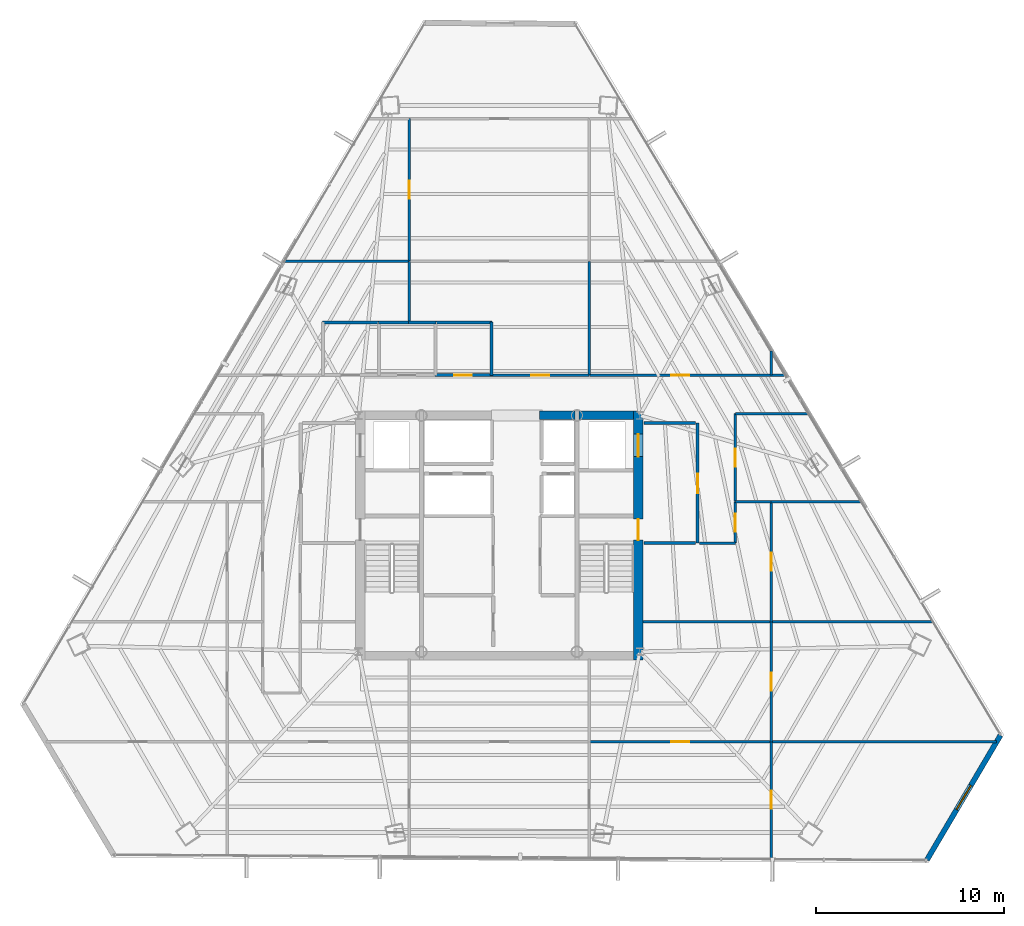
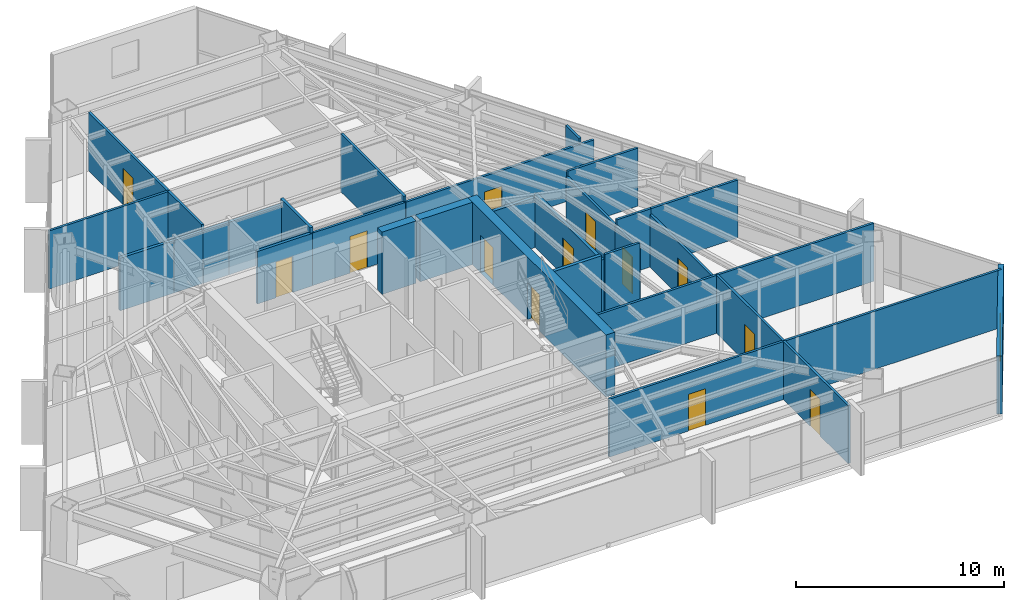
# One storey, part 37 of 41: 33 walls, 13 doors, 1 window, 14 openings.
"""IFC4 building model written with IfcOpenShell, lengths in metres."""

from ifc_helpers import new_model, si_unit, direction, frame, frame_2d, origin, place, context, subcontext, project, spatial, rectangle, extrude, material, layer, layer_set, type_object, element, fill, save


model = new_model("IFC4")

# Units and contexts
model_context = context("Model", 3, precision=1e-05, world=origin(), true_north=direction((0.0, 1.0)))
body_context = subcontext(model_context, "Body", "Model", "MODEL_VIEW")
ifc_project = project(units=[si_unit("LENGTHUNIT", "METRE"), si_unit("AREAUNIT", "SQUARE_METRE"), si_unit("VOLUMEUNIT", "CUBIC_METRE"), si_unit("PLANEANGLEUNIT", "RADIAN"), si_unit("MASSUNIT", "GRAM", prefix="KILO")], contexts=[model_context])

# Site, building, storey
site_placement = place(None, origin())
site = spatial("IfcSite", under=ifc_project, at=site_placement, CompositionType="ELEMENT")
building_placement = place(site_placement, origin())
building = spatial("IfcBuilding", under=site, at=building_placement, Name="Caelisora Broadcast Tower", CompositionType="ELEMENT")
storey_placement = place(building_placement, frame((0.0, 0.0, 173.10009765625)))
storey = spatial("IfcBuildingStorey", under=building, at=storey_placement, Name="L45", CompositionType="ELEMENT", Elevation=173.10009765625)

# Wall, openings, doors
ifc_material_1 = material(Name="Concrete 50 MPa (AS 3600 S50)", Category="concrete")
ifc_layer_1 = layer(ifc_material_1, 0.5, Name="Concrete 50 MPa (AS 3600 S50)")
ifc_layer_set_1 = layer_set([ifc_layer_1], Name="Concrete 50 MPa (AS 3600 S50)")
wall_type_1 = type_object("IfcWallType", Name="CW2", PredefinedType="SHEAR", material=ifc_layer_set_1)
wall_1_placement = place(storey_placement, frame((45.409912109375, 16.949951171875, 0.0), z_axis=(0.0, 0.0, 1.0), x_axis=(0.0, 1.0, 0.0)))
wall_1 = element("IfcWall", 1, at=wall_1_placement, inside=storey, type_object=wall_type_1, Name="L45 core shear wall CW2", PredefinedType="SHEAR", context=body_context, shape_type="SweptSolid", body=[
    extrude(rectangle(XDim=13.275146484375, YDim=0.5, at=frame_2d((6.6376953125, 0.0))), origin(), (0.0, 0.0, 1.0), 3.64990234375),
])
opening_1_placement = place(wall_1_placement, frame((6.39990234375, 0.0, 0.0)))
opening_1 = element("IfcOpeningElement", 2, at=opening_1_placement, cuts=wall_1, Name="Opening FD04", PredefinedType="OPENING", context=body_context, shape_type="SweptSolid", body=[
    extrude(rectangle(XDim=1.1201171875, YDim=2.14990234375, at=frame_2d((0.56005859375, 1.074951171875))), frame((0.0, 0.261962890625, 0.0), z_axis=(0.0, -1.0, 0.0), x_axis=(1.0, 0.0, 0.0)), (0.0, 0.0, 1.0), 0.52392578125),
])
opening_2_placement = place(wall_1_placement, frame((10.85009765625, 0.0, 0.0)))
opening_2 = element("IfcOpeningElement", 3, at=opening_2_placement, cuts=wall_1, Name="Opening LD04", PredefinedType="OPENING", context=body_context, shape_type="SweptSolid", body=[
    extrude(rectangle(XDim=1.199951171875, YDim=2.199951171875, at=frame_2d((0.60009765625, 1.10009765625))), frame((0.0, 0.261962890625, 0.0), z_axis=(0.0, -1.0, 0.0), x_axis=(1.0, 0.0, 0.0)), (0.0, 0.0, 1.0), 0.52392578125),
])
ifc_material_2 = material(Name="Pressurised Fire-Isolated Stair Door", Category="steel")
door_type_1 = type_object("IfcDoorType", Name="FD04", OperationType="NOTDEFINED", PredefinedType="DOOR", material=ifc_material_2)
door_1_placement = place(opening_1_placement, origin())
door_1 = element("IfcDoor", 4, at=door_1_placement, inside=storey, type_object=door_type_1, Name="L45 door FD04 (L45-DR-ST2)", OperationType="SINGLE_SWING_RIGHT", OverallHeight=2.14990234375, OverallWidth=1.1201171875, PredefinedType="DOOR", context=body_context, shape_type="SweptSolid", body=[
    extrude(rectangle(XDim=1.1201171875, YDim=2.14990234375, at=frame_2d((0.56005859375, 1.074951171875))), frame((0.0, 0.02490234375, 0.0), z_axis=(0.0, -1.0, 0.0), x_axis=(1.0, 0.0, 0.0)), (0.0, 0.0, 1.0), 0.050048828125),
])
fill(opening_1, door_1)
ifc_material_3 = material(Name="Emergency Firefighting Lift Sliding Landing Door", Category="steel")
door_type_2 = type_object("IfcDoorType", Name="LD04", OperationType="NOTDEFINED", PredefinedType="DOOR", material=ifc_material_3)
door_2_placement = place(opening_2_placement, origin())
door_2 = element("IfcDoor", 5, at=door_2_placement, inside=storey, type_object=door_type_2, Name="L45 door LD04 (L45-LD-FFL2)", OperationType="SLIDING_TO_RIGHT", OverallHeight=2.199951171875, OverallWidth=1.199951171875, PredefinedType="DOOR", context=body_context, shape_type="SweptSolid", body=[
    extrude(rectangle(XDim=1.199951171875, YDim=2.199951171875, at=frame_2d((0.60009765625, 1.10009765625))), frame((0.0, 0.02490234375, 0.0), z_axis=(0.0, -1.0, 0.0), x_axis=(1.0, 0.0, 0.0)), (0.0, 0.0, 1.0), 0.050048828125),
])
fill(opening_2, door_2)

# Walls
ifc_layer_2 = layer(ifc_material_1, 0.449951171875, Name="Concrete 50 MPa (AS 3600 S50)")
ifc_layer_set_2 = layer_set([ifc_layer_2], Name="Concrete 50 MPa (AS 3600 S50)")
wall_type_2 = type_object("IfcWallType", Name="CW5", PredefinedType="SHEAR", material=ifc_layer_set_2)
wall_2_placement = place(storey_placement, frame((40.159912109375, 30.0, 0.0), z_axis=(0.0, 0.0, 1.0), x_axis=(1.0, 0.0, 0.0)))
element("IfcWall", 6, at=wall_2_placement, inside=storey, type_object=wall_type_2, Name="L45 core shear wall CW5", PredefinedType="SHEAR", context=body_context, shape_type="SweptSolid", body=[
    extrude(rectangle(XDim=1.880126953125, YDim=0.449951171875, at=frame_2d((0.93994140625, 0.0))), origin(), (0.0, 0.0, 1.0), 3.64990234375),
])
wall_3_placement = place(storey_placement, frame((42.260009765625, 30.0, 0.0), z_axis=(0.0, 0.0, 1.0), x_axis=(1.0, 0.0, 0.0)))
element("IfcWall", 7, at=wall_3_placement, inside=storey, type_object=wall_type_2, Name="L45 core shear wall CW5", PredefinedType="SHEAR", context=body_context, shape_type="SweptSolid", body=[
    extrude(rectangle(XDim=2.89990234375, YDim=0.449951171875, at=frame_2d((1.449951171875, 0.0))), origin(), (0.0, 0.0, 1.0), 3.64990234375),
])

# Wall, opening, window
ifc_material_4 = material(Name="Insulated Terracotta Spandrel Wall System", Category="masonry")
ifc_layer_3 = layer(ifc_material_4, 0.280029296875, Name="Insulated Terracotta Spandrel Wall System")
ifc_layer_set_3 = layer_set([ifc_layer_3], Name="Insulated Terracotta Spandrel Wall System")
wall_type_3 = type_object("IfcWallType", Name="EW1", PredefinedType="STANDARD", material=ifc_layer_set_3)
wall_4_placement = place(storey_placement, frame((64.731689453125, 12.943115234375, 0.0), z_axis=(0.0, 0.0, 1.0), x_axis=(-0.508077204819, -0.861311531296, 0.0)))
wall_4 = element("IfcWall", 8, at=wall_4_placement, inside=storey, type_object=wall_type_3, Name="L45 exterior envelope wall EW1", PredefinedType="STANDARD", context=body_context, shape_type="SweptSolid", body=[
    extrude(rectangle(XDim=7.70849609375, YDim=0.280029296875, at=frame_2d((3.854248046875, 0.0))), origin(), (0.0, 0.0, 1.0), 3.39990234375),
])
opening_3_placement = place(wall_4_placement, frame((3.10009765625, 0.0, 0.89990234375)))
opening_3 = element("IfcOpeningElement", 9, at=opening_3_placement, cuts=wall_4, Name="Opening W02", PredefinedType="OPENING", context=body_context, shape_type="SweptSolid", body=[
    extrude(rectangle(XDim=1.5, YDim=1.800048828125, at=frame_2d((0.75, 0.89990234375))), frame((0.0, 0.152099609375, 0.0), z_axis=(0.0, -1.0, 0.0), x_axis=(1.0, 0.0, 0.0)), (0.0, 0.0, 1.0), 0.303955078125),
])
ifc_material_5 = material(Name="Double Glazed Terracotta-Framed Vision Window", Category="glass")
window_type = type_object("IfcWindowType", Name="W02", PartitioningType="SINGLE_PANEL", PredefinedType="WINDOW", material=ifc_material_5)
window_placement = place(opening_3_placement, origin())
window = element("IfcWindow", 10, at=window_placement, inside=storey, type_object=window_type, Name="L45 window W02 (L45-WN-CH0)", OverallHeight=1.800048828125, OverallWidth=1.5, PartitioningType="SINGLE_PANEL", PredefinedType="WINDOW", context=body_context, shape_type="SweptSolid", body=[
    extrude(rectangle(XDim=1.5, YDim=1.800048828125, at=frame_2d((0.75, 0.89990234375))), frame((0.0, 0.030029296875, 0.0), z_axis=(0.0, -1.0, 0.0), x_axis=(1.0, 0.0, 0.0)), (0.0, 0.0, 1.0), 0.06005859375),
])
fill(opening_3, window)

# Wall, opening, door
ifc_material_6 = material(Name="Fire-Rated Gypsum Shaft and Compartment Wall", Category="gypsum")
ifc_layer_4 = layer(ifc_material_6, 0.179931640625, Name="Fire-Rated Gypsum Shaft and Compartment Wall")
ifc_layer_set_4 = layer_set([ifc_layer_4], Name="Fire-Rated Gypsum Shaft and Compartment Wall")
wall_type_4 = type_object("IfcWallType", Name="PW2", PredefinedType="PARTITIONING", material=ifc_layer_set_4)
wall_5_placement = place(storey_placement, frame((48.580078125, 23.199951171875, 0.0), z_axis=(0.0, 0.0, 1.0), x_axis=(0.0, 1.0, 0.0)))
wall_5 = element("IfcWall", 11, at=wall_5_placement, inside=storey, type_object=wall_type_4, Name="L45 fire compartment wall PW2", PredefinedType="PARTITIONING", context=body_context, shape_type="SweptSolid", body=[
    extrude(rectangle(XDim=6.400146484375, YDim=0.179931640625, at=frame_2d((3.2001953125, 0.0))), origin(), (0.0, 0.0, 1.0), 3.07763671875),
])
opening_4_placement = place(wall_5_placement, frame((2.64990234375, 0.0, 0.0)))
opening_4 = element("IfcOpeningElement", 12, at=opening_4_placement, cuts=wall_5, Name="Opening FD02", PredefinedType="OPENING", context=body_context, shape_type="SweptSolid", body=[
    extrude(rectangle(XDim=1.050048828125, YDim=2.14990234375, at=frame_2d((0.52490234375, 1.074951171875))), frame((0.0, 0.10205078125, 0.0), z_axis=(0.0, -1.0, 0.0), x_axis=(1.0, 0.0, 0.0)), (0.0, 0.0, 1.0), 0.203857421875),
])
ifc_material_7 = material(Name="Single-Leaf Steel Fire Lobby Door", Category="steel")
door_type_3 = type_object("IfcDoorType", Name="FD02", OperationType="NOTDEFINED", PredefinedType="DOOR", material=ifc_material_7)
door_3_placement = place(opening_4_placement, origin())
door_3 = element("IfcDoor", 13, at=door_3_placement, inside=storey, type_object=door_type_3, Name="L45 door FD02 (L45-DR-P04D1)", OperationType="SINGLE_SWING_LEFT", OverallHeight=2.14990234375, OverallWidth=1.050048828125, PredefinedType="DOOR", context=body_context, shape_type="SweptSolid", body=[
    extrude(rectangle(XDim=1.050048828125, YDim=2.14990234375, at=frame_2d((0.52490234375, 1.074951171875))), frame((0.0, 0.02490234375, 0.0), z_axis=(0.0, -1.0, 0.0), x_axis=(1.0, 0.0, 0.0)), (0.0, 0.0, 1.0), 0.050048828125),
])
fill(opening_4, door_3)

# Walls
wall_6_placement = place(storey_placement, frame((45.719970703125, 23.199951171875, 0.0), z_axis=(0.0, 0.0, 1.0), x_axis=(1.0, 0.0, 0.0)))
element("IfcWall", 14, at=wall_6_placement, inside=storey, type_object=wall_type_4, Name="L45 fire compartment wall PW2", PredefinedType="PARTITIONING", context=body_context, shape_type="SweptSolid", body=[
    extrude(rectangle(XDim=2.760009765625, YDim=0.179931640625, at=frame_2d((1.3798828125, 0.0))), origin(), (0.0, 0.0, 1.0), 3.39990234375),
])
wall_7_placement = place(storey_placement, frame((45.719970703125, 29.60009765625, 0.0), z_axis=(0.0, 0.0, 1.0), x_axis=(1.0, 0.0, 0.0)))
element("IfcWall", 15, at=wall_7_placement, inside=storey, type_object=wall_type_4, Name="L45 fire compartment wall PW2", PredefinedType="PARTITIONING", context=body_context, shape_type="SweptSolid", body=[
    extrude(rectangle(XDim=2.760009765625, YDim=0.179931640625, at=frame_2d((1.3798828125, 0.0))), origin(), (0.0, 0.0, 1.0), 2.924560546875),
])
ifc_material_8 = material(Name="Acoustic Steel-Stud Plasterboard Partition", Category="gypsum")
ifc_layer_5 = layer(ifc_material_8, 0.1298828125, Name="Acoustic Steel-Stud Plasterboard Partition")
ifc_layer_set_5 = layer_set([ifc_layer_5], Name="Acoustic Steel-Stud Plasterboard Partition")
wall_type_5 = type_object("IfcWallType", Name="PW3", PredefinedType="PARTITIONING", material=ifc_layer_set_5)
wall_8_placement = place(storey_placement, frame((52.5048828125, 12.590087890625, 0.0), z_axis=(0.0, 0.0, 1.0), x_axis=(1.0, 0.0, 0.0)))
element("IfcWall", 16, at=wall_8_placement, inside=storey, type_object=wall_type_5, Name="L45 internal partition PW3", PredefinedType="PARTITIONING", context=body_context, shape_type="SweptSolid", body=[
    extrude(rectangle(XDim=12.023681640625, YDim=0.1298828125, at=frame_2d((6.01171875, 0.0))), origin(), (0.0, 0.0, 1.0), 3.39990234375),
])

# Wall, opening, door
wall_9_placement = place(storey_placement, frame((42.804931640625, 32.14990234375, 0.0), z_axis=(0.0, 0.0, 1.0), x_axis=(1.0, 0.0, 0.0)))
wall_9 = element("IfcWall", 17, at=wall_9_placement, inside=storey, type_object=wall_type_5, Name="L45 internal partition PW3", PredefinedType="PARTITIONING", context=body_context, shape_type="SweptSolid", body=[
    extrude(rectangle(XDim=10.436767578125, YDim=0.1298828125, at=frame_2d((5.21826171875, 0.0))), origin(), (0.0, 0.0, 1.0), 3.07763671875),
])
opening_5_placement = place(wall_9_placement, frame((4.364990234375, 0.0, 0.0)))
opening_5 = element("IfcOpeningElement", 18, at=opening_5_placement, cuts=wall_9, Name="Opening D01", PredefinedType="OPENING", context=body_context, shape_type="SweptSolid", body=[
    extrude(rectangle(XDim=0.9599609375, YDim=2.14990234375, at=frame_2d((0.47998046875, 1.074951171875))), frame((0.0, 0.076904296875, 0.0), z_axis=(0.0, -1.0, 0.0), x_axis=(1.0, 0.0, 0.0)), (0.0, 0.0, 1.0), 0.15380859375),
])
ifc_material_9 = material(Name="Solid-Core Timber Acoustic Office Door", Category="wood")
door_type_4 = type_object("IfcDoorType", Name="D01", OperationType="NOTDEFINED", PredefinedType="DOOR", material=ifc_material_9)
door_4_placement = place(opening_5_placement, origin())
door_4 = element("IfcDoor", 19, at=door_4_placement, inside=storey, type_object=door_type_4, Name="L45 door D01 (L45-DR-P28D1)", OperationType="SINGLE_SWING_LEFT", OverallHeight=2.14990234375, OverallWidth=0.9599609375, PredefinedType="DOOR", context=body_context, shape_type="SweptSolid", body=[
    extrude(rectangle(XDim=0.9599609375, YDim=2.14990234375, at=frame_2d((0.47998046875, 1.074951171875))), frame((0.0, 0.02490234375, 0.0), z_axis=(0.0, -1.0, 0.0), x_axis=(1.0, 0.0, 0.0)), (0.0, 0.0, 1.0), 0.050048828125),
])
fill(opening_5, door_4)

wall_10_placement = place(storey_placement, frame((42.804931640625, 12.590087890625, 0.0), z_axis=(0.0, 0.0, 1.0), x_axis=(1.0, 0.0, 0.0)))
wall_10 = element("IfcWall", 20, at=wall_10_placement, inside=storey, type_object=wall_type_5, Name="L45 internal partition PW3", PredefinedType="PARTITIONING", context=body_context, shape_type="SweptSolid", body=[
    extrude(rectangle(XDim=9.690185546875, YDim=0.1298828125, at=frame_2d((4.84521484375, 0.0))), origin(), (0.0, 0.0, 1.0), 3.39990234375),
])
opening_6_placement = place(wall_10_placement, frame((4.364990234375, 0.0, 0.0)))
opening_6 = element("IfcOpeningElement", 21, at=opening_6_placement, cuts=wall_10, Name="Opening D01", PredefinedType="OPENING", context=body_context, shape_type="SweptSolid", body=[
    extrude(rectangle(XDim=0.9599609375, YDim=2.14990234375, at=frame_2d((0.47998046875, 1.074951171875))), frame((0.0, 0.076904296875, 0.0), z_axis=(0.0, -1.0, 0.0), x_axis=(1.0, 0.0, 0.0)), (0.0, 0.0, 1.0), 0.15380859375),
])
door_5_placement = place(opening_6_placement, origin())
door_5 = element("IfcDoor", 22, at=door_5_placement, inside=storey, type_object=door_type_4, Name="L45 door D01 (L45-DR-P30D1)", OperationType="SINGLE_SWING_LEFT", OverallHeight=2.14990234375, OverallWidth=0.9599609375, PredefinedType="DOOR", context=body_context, shape_type="SweptSolid", body=[
    extrude(rectangle(XDim=0.9599609375, YDim=2.14990234375, at=frame_2d((0.47998046875, 1.074951171875))), frame((0.0, 0.02490234375, 0.0), z_axis=(0.0, -1.0, 0.0), x_axis=(1.0, 0.0, 0.0)), (0.0, 0.0, 1.0), 0.050048828125),
])
fill(opening_6, door_5)

# Wall
wall_11_placement = place(storey_placement, frame((52.5048828125, 18.989990234375, 0.0), z_axis=(0.0, 0.0, 1.0), x_axis=(1.0, 0.0, 0.0)))
element("IfcWall", 23, at=wall_11_placement, inside=storey, type_object=wall_type_5, Name="L45 internal partition PW3", PredefinedType="PARTITIONING", context=body_context, shape_type="SweptSolid", body=[
    extrude(rectangle(XDim=8.642578125, YDim=0.1298828125, at=frame_2d((4.3212890625, 0.0))), origin(), (0.0, 0.0, 1.0), 3.39990234375),
])

# Wall, opening, door
wall_12_placement = place(storey_placement, frame((33.199951171875, 38.22509765625, 0.0), z_axis=(0.0, 0.0, 1.0), x_axis=(0.0, 1.0, 0.0)))
wall_12 = element("IfcWall", 24, at=wall_12_placement, inside=storey, type_object=wall_type_5, Name="L45 internal partition PW3", PredefinedType="PARTITIONING", context=body_context, shape_type="SweptSolid", body=[
    extrude(rectangle(XDim=7.599853515625, YDim=0.1298828125, at=frame_2d((3.7998046875, 0.0))), origin(), (0.0, 0.0, 1.0), 3.39990234375),
])
opening_7_placement = place(wall_12_placement, frame((3.320068359375, 0.0, 0.0)))
opening_7 = element("IfcOpeningElement", 25, at=opening_7_placement, cuts=wall_12, Name="Opening D01", PredefinedType="OPENING", context=body_context, shape_type="SweptSolid", body=[
    extrude(rectangle(XDim=0.9599609375, YDim=2.14990234375, at=frame_2d((0.47998046875, 1.074951171875))), frame((0.0, 0.076904296875, 0.0), z_axis=(0.0, -1.0, 0.0), x_axis=(1.0, 0.0, 0.0)), (0.0, 0.0, 1.0), 0.15380859375),
])
door_6_placement = place(opening_7_placement, origin())
door_6 = element("IfcDoor", 26, at=door_6_placement, inside=storey, type_object=door_type_4, Name="L45 door D01 (L45-DR-P38D1)", OperationType="SINGLE_SWING_LEFT", OverallHeight=2.14990234375, OverallWidth=0.9599609375, PredefinedType="DOOR", context=body_context, shape_type="SweptSolid", body=[
    extrude(rectangle(XDim=0.9599609375, YDim=2.14990234375, at=frame_2d((0.47998046875, 1.074951171875))), frame((0.0, 0.02490234375, 0.0), z_axis=(0.0, -1.0, 0.0), x_axis=(1.0, 0.0, 0.0)), (0.0, 0.0, 1.0), 0.050048828125),
])
fill(opening_7, door_6)

# Walls
wall_13_placement = place(storey_placement, frame((45.675048828125, 18.989990234375, 0.0), z_axis=(0.0, 0.0, 1.0), x_axis=(1.0, 0.0, 0.0)))
element("IfcWall", 27, at=wall_13_placement, inside=storey, type_object=wall_type_5, Name="L45 internal partition PW3", PredefinedType="PARTITIONING", context=body_context, shape_type="SweptSolid", body=[
    extrude(rectangle(XDim=6.820068359375, YDim=0.1298828125, at=frame_2d((3.41015625, 0.0))), origin(), (0.0, 0.0, 1.0), 3.39990234375),
])
wall_14_placement = place(storey_placement, frame((26.543212890625, 38.219970703125, 0.0), z_axis=(0.0, 0.0, 1.0), x_axis=(1.0, 0.0, 0.0)))
element("IfcWall", 28, at=wall_14_placement, inside=storey, type_object=wall_type_5, Name="L45 internal partition PW3", PredefinedType="PARTITIONING", context=body_context, shape_type="SweptSolid", body=[
    extrude(rectangle(XDim=6.65185546875, YDim=0.1298828125, at=frame_2d((3.325927734375, 0.0))), origin(), (0.0, 0.0, 1.0), 3.39990234375),
])

# Wall, opening, door
wall_15_placement = place(storey_placement, frame((52.5, 18.9951171875, 0.0), z_axis=(0.0, 0.0, 1.0), x_axis=(0.0, 1.0, 0.0)))
wall_15 = element("IfcWall", 29, at=wall_15_placement, inside=storey, type_object=wall_type_5, Name="L45 internal partition PW3", PredefinedType="PARTITIONING", context=body_context, shape_type="SweptSolid", body=[
    extrude(rectangle(XDim=6.39990234375, YDim=0.1298828125, at=frame_2d((3.199951171875, 0.0))), origin(), (0.0, 0.0, 1.0), 3.07763671875),
])
opening_8_placement = place(wall_15_placement, frame((2.719970703125, 0.0, 0.0)))
opening_8 = element("IfcOpeningElement", 30, at=opening_8_placement, cuts=wall_15, Name="Opening D01", PredefinedType="OPENING", context=body_context, shape_type="SweptSolid", body=[
    extrude(rectangle(XDim=0.9599609375, YDim=2.14990234375, at=frame_2d((0.47998046875, 1.074951171875))), frame((0.0, 0.076904296875, 0.0), z_axis=(0.0, -1.0, 0.0), x_axis=(1.0, 0.0, 0.0)), (0.0, 0.0, 1.0), 0.15380859375),
])
door_7_placement = place(opening_8_placement, origin())
door_7 = element("IfcDoor", 31, at=door_7_placement, inside=storey, type_object=door_type_4, Name="L45 door D01 (L45-DR-P44D1)", OperationType="SINGLE_SWING_LEFT", OverallHeight=2.14990234375, OverallWidth=0.9599609375, PredefinedType="DOOR", context=body_context, shape_type="SweptSolid", body=[
    extrude(rectangle(XDim=0.9599609375, YDim=2.14990234375, at=frame_2d((0.47998046875, 1.074951171875))), frame((0.0, 0.02490234375, 0.0), z_axis=(0.0, -1.0, 0.0), x_axis=(1.0, 0.0, 0.0)), (0.0, 0.0, 1.0), 0.050048828125),
])
fill(opening_8, door_7)

wall_16_placement = place(storey_placement, frame((52.5, 12.594970703125, 0.0), z_axis=(0.0, 0.0, 1.0), x_axis=(0.0, 1.0, 0.0)))
wall_16 = element("IfcWall", 32, at=wall_16_placement, inside=storey, type_object=wall_type_5, Name="L45 internal partition PW3", PredefinedType="PARTITIONING", context=body_context, shape_type="SweptSolid", body=[
    extrude(rectangle(XDim=6.39013671875, YDim=0.1298828125, at=frame_2d((3.195068359375, 0.0))), origin(), (0.0, 0.0, 1.0), 3.39990234375),
])
opening_9_placement = place(wall_16_placement, frame((2.715087890625, 0.0, 0.0)))
opening_9 = element("IfcOpeningElement", 33, at=opening_9_placement, cuts=wall_16, Name="Opening D01", PredefinedType="OPENING", context=body_context, shape_type="SweptSolid", body=[
    extrude(rectangle(XDim=0.9599609375, YDim=2.14990234375, at=frame_2d((0.47998046875, 1.074951171875))), frame((0.0, 0.076904296875, 0.0), z_axis=(0.0, -1.0, 0.0), x_axis=(1.0, 0.0, 0.0)), (0.0, 0.0, 1.0), 0.15380859375),
])
door_8_placement = place(opening_9_placement, origin())
door_8 = element("IfcDoor", 34, at=door_8_placement, inside=storey, type_object=door_type_4, Name="L45 door D01 (L45-DR-P46D1)", OperationType="SINGLE_SWING_LEFT", OverallHeight=2.14990234375, OverallWidth=0.9599609375, PredefinedType="DOOR", context=body_context, shape_type="SweptSolid", body=[
    extrude(rectangle(XDim=0.9599609375, YDim=2.14990234375, at=frame_2d((0.47998046875, 1.074951171875))), frame((0.0, 0.02490234375, 0.0), z_axis=(0.0, -1.0, 0.0), x_axis=(1.0, 0.0, 0.0)), (0.0, 0.0, 1.0), 0.050048828125),
])
fill(opening_9, door_8)

wall_17_placement = place(storey_placement, frame((52.5, 6.32763671875, 0.0), z_axis=(0.0, 0.0, 1.0), x_axis=(0.0, 1.0, 0.0)))
wall_17 = element("IfcWall", 35, at=wall_17_placement, inside=storey, type_object=wall_type_5, Name="L45 internal partition PW3", PredefinedType="PARTITIONING", context=body_context, shape_type="SweptSolid", body=[
    extrude(rectangle(XDim=6.25732421875, YDim=0.1298828125, at=frame_2d((3.128662109375, 0.0))), origin(), (0.0, 0.0, 1.0), 3.39990234375),
])
opening_10_placement = place(wall_17_placement, frame((2.697998046875, 0.0, 0.0)))
opening_10 = element("IfcOpeningElement", 36, at=opening_10_placement, cuts=wall_17, Name="Opening D01", PredefinedType="OPENING", context=body_context, shape_type="SweptSolid", body=[
    extrude(rectangle(XDim=0.9599609375, YDim=2.14990234375, at=frame_2d((0.47998046875, 1.074951171875))), frame((0.0, 0.076904296875, 0.0), z_axis=(0.0, -1.0, 0.0), x_axis=(1.0, 0.0, 0.0)), (0.0, 0.0, 1.0), 0.15380859375),
])
door_9_placement = place(opening_10_placement, origin())
door_9 = element("IfcDoor", 37, at=door_9_placement, inside=storey, type_object=door_type_4, Name="L45 door D01 (L45-DR-P47D1)", OperationType="SINGLE_SWING_RIGHT", OverallHeight=2.14990234375, OverallWidth=0.9599609375, PredefinedType="DOOR", context=body_context, shape_type="SweptSolid", body=[
    extrude(rectangle(XDim=0.9599609375, YDim=2.14990234375, at=frame_2d((0.47998046875, 1.074951171875))), frame((0.0, 0.02490234375, 0.0), z_axis=(0.0, -1.0, 0.0), x_axis=(1.0, 0.0, 0.0)), (0.0, 0.0, 1.0), 0.050048828125),
])
fill(opening_10, door_9)

# Wall
wall_18_placement = place(storey_placement, frame((42.800048828125, 32.155029296875, 0.0), z_axis=(0.0, 0.0, 1.0), x_axis=(0.0, 1.0, 0.0)))
element("IfcWall", 38, at=wall_18_placement, inside=storey, type_object=wall_type_5, Name="L45 internal partition PW3", PredefinedType="PARTITIONING", context=body_context, shape_type="SweptSolid", body=[
    extrude(rectangle(XDim=6.06005859375, YDim=0.1298828125, at=frame_2d((3.030029296875, 0.0))), origin(), (0.0, 0.0, 1.0), 3.39990234375),
])

# Wall, opening, door
wall_19_placement = place(storey_placement, frame((37.60498046875, 32.14990234375, 0.0), z_axis=(0.0, 0.0, 1.0), x_axis=(1.0, 0.0, 0.0)))
wall_19 = element("IfcWall", 39, at=wall_19_placement, inside=storey, type_object=wall_type_5, Name="L45 internal partition PW3", PredefinedType="PARTITIONING", context=body_context, shape_type="SweptSolid", body=[
    extrude(rectangle(XDim=5.18994140625, YDim=0.1298828125, at=frame_2d((2.594970703125, 0.0))), origin(), (0.0, 0.0, 1.0), 3.07763671875),
])
opening_11_placement = place(wall_19_placement, frame((2.114990234375, 0.0, 0.0)))
opening_11 = element("IfcOpeningElement", 40, at=opening_11_placement, cuts=wall_19, Name="Opening D01", PredefinedType="OPENING", context=body_context, shape_type="SweptSolid", body=[
    extrude(rectangle(XDim=0.9599609375, YDim=2.14990234375, at=frame_2d((0.47998046875, 1.074951171875))), frame((0.0, 0.076904296875, 0.0), z_axis=(0.0, -1.0, 0.0), x_axis=(1.0, 0.0, 0.0)), (0.0, 0.0, 1.0), 0.15380859375),
])
door_10_placement = place(opening_11_placement, origin())
door_10 = element("IfcDoor", 41, at=door_10_placement, inside=storey, type_object=door_type_4, Name="L45 door D01 (L45-DR-P52D1)", OperationType="SINGLE_SWING_LEFT", OverallHeight=2.14990234375, OverallWidth=0.9599609375, PredefinedType="DOOR", context=body_context, shape_type="SweptSolid", body=[
    extrude(rectangle(XDim=0.9599609375, YDim=2.14990234375, at=frame_2d((0.47998046875, 1.074951171875))), frame((0.0, 0.02490234375, 0.0), z_axis=(0.0, -1.0, 0.0), x_axis=(1.0, 0.0, 0.0)), (0.0, 0.0, 1.0), 0.050048828125),
])
fill(opening_11, door_10)

# Wall
wall_20_placement = place(storey_placement, frame((52.5048828125, 25.39990234375, 0.0), z_axis=(0.0, 0.0, 1.0), x_axis=(1.0, 0.0, 0.0)))
element("IfcWall", 42, at=wall_20_placement, inside=storey, type_object=wall_type_5, Name="L45 internal partition PW3", PredefinedType="PARTITIONING", context=body_context, shape_type="SweptSolid", body=[
    extrude(rectangle(XDim=4.804443359375, YDim=0.1298828125, at=frame_2d((2.40234375, 0.0))), origin(), (0.0, 0.0, 1.0), 3.39990234375),
])

# Wall, opening, door
wall_21_placement = place(storey_placement, frame((50.60009765625, 25.405029296875, 0.0), z_axis=(0.0, 0.0, 1.0), x_axis=(0.0, 1.0, 0.0)))
wall_21 = element("IfcWall", 43, at=wall_21_placement, inside=storey, type_object=wall_type_5, Name="L45 internal partition PW3", PredefinedType="PARTITIONING", context=body_context, shape_type="SweptSolid", body=[
    extrude(rectangle(XDim=4.68994140625, YDim=0.1298828125, at=frame_2d((2.344970703125, 0.0))), origin(), (0.0, 0.0, 1.0), 3.07763671875),
])
opening_12_placement = place(wall_21_placement, frame((1.864990234375, 0.0, 0.0)))
opening_12 = element("IfcOpeningElement", 44, at=opening_12_placement, cuts=wall_21, Name="Opening D01", PredefinedType="OPENING", context=body_context, shape_type="SweptSolid", body=[
    extrude(rectangle(XDim=0.9599609375, YDim=2.14990234375, at=frame_2d((0.47998046875, 1.074951171875))), frame((0.0, 0.076904296875, 0.0), z_axis=(0.0, -1.0, 0.0), x_axis=(1.0, 0.0, 0.0)), (0.0, 0.0, 1.0), 0.15380859375),
])
door_11_placement = place(opening_12_placement, origin())
door_11 = element("IfcDoor", 45, at=door_11_placement, inside=storey, type_object=door_type_4, Name="L45 door D01 (L45-DR-P56D1)", OperationType="SINGLE_SWING_RIGHT", OverallHeight=2.14990234375, OverallWidth=0.9599609375, PredefinedType="DOOR", context=body_context, shape_type="SweptSolid", body=[
    extrude(rectangle(XDim=0.9599609375, YDim=2.14990234375, at=frame_2d((0.47998046875, 1.074951171875))), frame((0.0, 0.02490234375, 0.0), z_axis=(0.0, -1.0, 0.0), x_axis=(1.0, 0.0, 0.0)), (0.0, 0.0, 1.0), 0.050048828125),
])
fill(opening_12, door_11)

# Walls
wall_22_placement = place(storey_placement, frame((50.60498046875, 30.10009765625, 0.0), z_axis=(0.0, 0.0, 1.0), x_axis=(1.0, 0.0, 0.0)))
element("IfcWall", 46, at=wall_22_placement, inside=storey, type_object=wall_type_5, Name="L45 internal partition PW3", PredefinedType="PARTITIONING", context=body_context, shape_type="SweptSolid", body=[
    extrude(rectangle(XDim=3.89013671875, YDim=0.1298828125, at=frame_2d((1.945068359375, 0.0))), origin(), (0.0, 0.0, 1.0), 3.39990234375),
])
wall_23_placement = place(storey_placement, frame((33.199951171875, 34.955078125, 0.0), z_axis=(0.0, 0.0, 1.0), x_axis=(0.0, 1.0, 0.0)))
element("IfcWall", 47, at=wall_23_placement, inside=storey, type_object=wall_type_5, Name="L45 internal partition PW3", PredefinedType="PARTITIONING", context=body_context, shape_type="SweptSolid", body=[
    extrude(rectangle(XDim=3.260009765625, YDim=0.1298828125, at=frame_2d((1.6298828125, 0.0))), origin(), (0.0, 0.0, 1.0), 3.39990234375),
])

# Wall, opening, door
wall_24_placement = place(storey_placement, frame((50.60009765625, 23.18505859375, 0.0), z_axis=(0.0, 0.0, 1.0), x_axis=(0.0, 1.0, 0.0)))
wall_24 = element("IfcWall", 48, at=wall_24_placement, inside=storey, type_object=wall_type_5, Name="L45 internal partition PW3", PredefinedType="PARTITIONING", context=body_context, shape_type="SweptSolid", body=[
    extrude(rectangle(XDim=2.2099609375, YDim=0.1298828125, at=frame_2d((1.10498046875, 0.0))), origin(), (0.0, 0.0, 1.0), 3.07763671875),
])
opening_13_placement = place(wall_24_placement, frame((0.625, 0.0, 0.0)))
opening_13 = element("IfcOpeningElement", 49, at=opening_13_placement, cuts=wall_24, Name="Opening D01", PredefinedType="OPENING", context=body_context, shape_type="SweptSolid", body=[
    extrude(rectangle(XDim=0.9599609375, YDim=2.14990234375, at=frame_2d((0.47998046875, 1.074951171875))), frame((0.0, 0.076904296875, 0.0), z_axis=(0.0, -1.0, 0.0), x_axis=(1.0, 0.0, 0.0)), (0.0, 0.0, 1.0), 0.15380859375),
])
door_12_placement = place(opening_13_placement, origin())
door_12 = element("IfcDoor", 50, at=door_12_placement, inside=storey, type_object=door_type_4, Name="L45 door D01 (L45-DR-P69D1)", OperationType="SINGLE_SWING_LEFT", OverallHeight=2.14990234375, OverallWidth=0.9599609375, PredefinedType="DOOR", context=body_context, shape_type="SweptSolid", body=[
    extrude(rectangle(XDim=0.9599609375, YDim=2.14990234375, at=frame_2d((0.47998046875, 1.074951171875))), frame((0.0, 0.02490234375, 0.0), z_axis=(0.0, -1.0, 0.0), x_axis=(1.0, 0.0, 0.0)), (0.0, 0.0, 1.0), 0.050048828125),
])
fill(opening_13, door_12)

# Walls
wall_25_placement = place(storey_placement, frame((48.675048828125, 23.179931640625, 0.0), z_axis=(0.0, 0.0, 1.0), x_axis=(1.0, 0.0, 0.0)))
element("IfcWall", 51, at=wall_25_placement, inside=storey, type_object=wall_type_5, Name="L45 internal partition PW3", PredefinedType="PARTITIONING", context=body_context, shape_type="SweptSolid", body=[
    extrude(rectangle(XDim=1.919921875, YDim=0.1298828125, at=frame_2d((0.9599609375, 0.0))), origin(), (0.0, 0.0, 1.0), 3.39990234375),
])
wall_26_placement = place(storey_placement, frame((50.60498046875, 25.39990234375, 0.0), z_axis=(0.0, 0.0, 1.0), x_axis=(1.0, 0.0, 0.0)))
element("IfcWall", 52, at=wall_26_placement, inside=storey, type_object=wall_type_5, Name="L45 internal partition PW3", PredefinedType="PARTITIONING", context=body_context, shape_type="SweptSolid", body=[
    extrude(rectangle(XDim=1.89013671875, YDim=0.1298828125, at=frame_2d((0.945068359375, 0.0))), origin(), (0.0, 0.0, 1.0), 3.39990234375),
])
wall_27_placement = place(storey_placement, frame((52.5, 32.155029296875, 0.0), z_axis=(0.0, 0.0, 1.0), x_axis=(0.0, 1.0, 0.0)))
element("IfcWall", 53, at=wall_27_placement, inside=storey, type_object=wall_type_5, Name="L45 internal partition PW3", PredefinedType="PARTITIONING", context=body_context, shape_type="SweptSolid", body=[
    extrude(rectangle(XDim=1.27685546875, YDim=0.1298828125, at=frame_2d((0.638427734375, 0.0))), origin(), (0.0, 0.0, 1.0), 3.39990234375),
])

# Wall, opening, door
ifc_material_10 = material(Name="Moisture-Resistant Wet Plumbing Service Wall", Category="gypsum")
ifc_layer_6 = layer(ifc_material_10, 0.159912109375, Name="Moisture-Resistant Wet Plumbing Service Wall")
ifc_layer_set_6 = layer_set([ifc_layer_6], Name="Moisture-Resistant Wet Plumbing Service Wall")
wall_type_6 = type_object("IfcWallType", Name="PW4", PredefinedType="PLUMBINGWALL", material=ifc_layer_set_6)
wall_28_placement = place(storey_placement, frame((34.574951171875, 32.14990234375, 0.0), z_axis=(0.0, 0.0, 1.0), x_axis=(1.0, 0.0, 0.0)))
wall_28 = element("IfcWall", 54, at=wall_28_placement, inside=storey, type_object=wall_type_6, Name="L45 wet plumbing wall PW4", PredefinedType="PLUMBINGWALL", context=body_context, shape_type="SweptSolid", body=[
    extrude(rectangle(XDim=3.050048828125, YDim=0.159912109375, at=frame_2d((1.52490234375, 0.0))), origin(), (0.0, 0.0, 1.0), 3.07763671875),
])
opening_14_placement = place(wall_28_placement, frame((1.034912109375, 0.0, 0.0)))
opening_14 = element("IfcOpeningElement", 55, at=opening_14_placement, cuts=wall_28, Name="Opening D03", PredefinedType="OPENING", context=body_context, shape_type="SweptSolid", body=[
    extrude(rectangle(XDim=0.919921875, YDim=2.10009765625, at=frame_2d((0.4599609375, 1.050048828125))), frame((0.0, 0.092041015625, 0.0), z_axis=(0.0, -1.0, 0.0), x_axis=(1.0, 0.0, 0.0)), (0.0, 0.0, 1.0), 0.183837890625),
])
ifc_material_11 = material(Name="Laminate Moisture-Resistant Amenity WC Door", Category="wood")
door_type_5 = type_object("IfcDoorType", Name="D03", OperationType="NOTDEFINED", PredefinedType="DOOR", material=ifc_material_11)
door_13_placement = place(opening_14_placement, origin())
door_13 = element("IfcDoor", 56, at=door_13_placement, inside=storey, type_object=door_type_5, Name="L45 door D03 (L45-DR-P16D1)", OperationType="SINGLE_SWING_LEFT", OverallHeight=2.10009765625, OverallWidth=0.919921875, PredefinedType="DOOR", context=body_context, shape_type="SweptSolid", body=[
    extrude(rectangle(XDim=0.919921875, YDim=2.10009765625, at=frame_2d((0.4599609375, 1.050048828125))), frame((0.0, 0.02490234375, 0.0), z_axis=(0.0, -1.0, 0.0), x_axis=(1.0, 0.0, 0.0)), (0.0, 0.0, 1.0), 0.050048828125),
])
fill(opening_14, door_13)

# Walls
for number, where, z_axis, x_axis, name in (
    (57, (28.574951171875, 34.949951171875, 0.0), (0.0, 0.0, 1.0), (1.0, 0.0, 0.0), "L45 wet plumbing wall PW4"),
    (58, (37.625, 34.949951171875, 0.0), (0.0, 0.0, 1.0), (-1.0, 0.0, 0.0), "L45 wet plumbing wall PW4"),
):
    element("IfcWall", number, at=place(storey_placement, frame(where, z_axis=z_axis, x_axis=x_axis)), inside=storey, type_object=wall_type_6, Name=name, PredefinedType="PLUMBINGWALL", context=body_context, shape_type="SweptSolid", body=[
        extrude(rectangle(XDim=3.050048828125, YDim=0.159912109375, at=frame_2d((1.52490234375, 0.0))), origin(), (0.0, 0.0, 1.0), 3.07763671875),
    ])
wall_29_placement = place(storey_placement, frame((37.60009765625, 32.125, 0.0), z_axis=(0.0, 0.0, 1.0), x_axis=(0.0, 1.0, 0.0)))
element("IfcWall", 59, at=wall_29_placement, inside=storey, type_object=wall_type_6, Name="L45 wet plumbing wall PW4", PredefinedType="PLUMBINGWALL", context=body_context, shape_type="SweptSolid", body=[
    extrude(rectangle(XDim=2.85009765625, YDim=0.159912109375, at=frame_2d((1.425048828125, 0.0))), origin(), (0.0, 0.0, 1.0), 3.39990234375),
])
wall_30_placement = place(storey_placement, frame((31.574951171875, 34.949951171875, 0.0), z_axis=(0.0, 0.0, 1.0), x_axis=(1.0, 0.0, 0.0)))
element("IfcWall", 60, at=wall_30_placement, inside=storey, type_object=wall_type_6, Name="L45 wet plumbing wall PW4", PredefinedType="PLUMBINGWALL", context=body_context, shape_type="SweptSolid", body=[
    extrude(rectangle(XDim=1.650146484375, YDim=0.159912109375, at=frame_2d((0.8251953125, 0.0))), origin(), (0.0, 0.0, 1.0), 3.07763671875),
])
wall_31_placement = place(storey_placement, frame((33.175048828125, 34.949951171875, 0.0), z_axis=(0.0, 0.0, 1.0), x_axis=(1.0, 0.0, 0.0)))
element("IfcWall", 61, at=wall_31_placement, inside=storey, type_object=wall_type_6, Name="L45 wet plumbing wall PW4", PredefinedType="PLUMBINGWALL", context=body_context, shape_type="SweptSolid", body=[
    extrude(rectangle(XDim=1.449951171875, YDim=0.159912109375, at=frame_2d((0.72509765625, 0.0))), origin(), (0.0, 0.0, 1.0), 3.07763671875),
])

save(model, "model.ifc")
